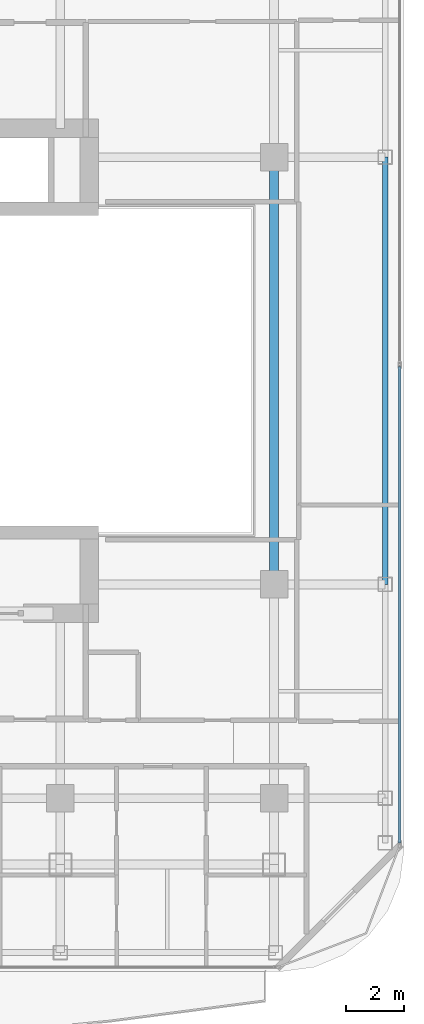
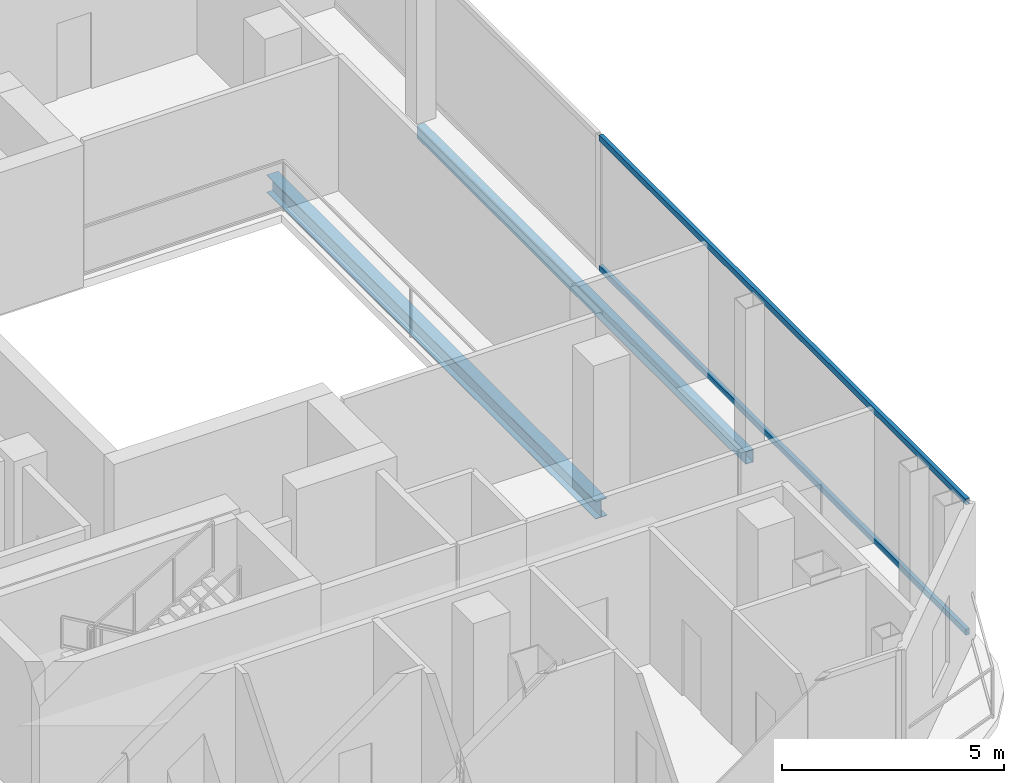
# One storey, part 9 of 23: 2 beams, 2 members, 1 element without a shape of its own.
"""IFC4 building model written with IfcOpenShell, lengths in metres."""

from ifc_helpers import new_model, si_unit, direction, frame, origin, origin_2d, place, context, subcontext, project, spatial, hollow_rectangle, i_section, extrude, material, layer, layer_set, material_profile, profile_set, type_object, element, aggregate, save


model = new_model("IFC4")

# Units and contexts
model_context = context("Model", 3, precision=1e-05, world=origin(), true_north=direction((0.0, 1.0)))
body_context = subcontext(model_context, "Body", "Model", "MODEL_VIEW")
ifc_project = project(units=[si_unit("LENGTHUNIT", "METRE"), si_unit("AREAUNIT", "SQUARE_METRE"), si_unit("VOLUMEUNIT", "CUBIC_METRE"), si_unit("PLANEANGLEUNIT", "RADIAN"), si_unit("MASSUNIT", "GRAM", prefix="KILO")], contexts=[model_context])

# Site, building, storey
site_placement = place(None, origin())
site = spatial("IfcSite", under=ifc_project, at=site_placement, CompositionType="ELEMENT")
building_placement = place(site_placement, origin())
building = spatial("IfcBuilding", under=site, at=building_placement, Name="Khorvyn Point Tower", CompositionType="ELEMENT")
storey_placement = place(building_placement, frame((0.0, 0.0, 293.699951171875)))
storey = spatial("IfcBuildingStorey", under=building, at=storey_placement, Name="L72", CompositionType="ELEMENT", Elevation=293.699951171875)

# Curtain wall, members
ifc_material_1 = material(Name="Anodised aluminium 6063-T6 and laminated Low-E glass", Category="aluminium")
ifc_layer = layer(ifc_material_1, 0.18994140625)
ifc_layer_set = layer_set([ifc_layer], Name="Stick-Built High-Wind Curtain Wall CW-SYS-04")
curtain_wall_type = type_object("IfcCurtainWallType", Name="Stick-Built High-Wind Curtain Wall CW-SYS-04", PredefinedType="NOTDEFINED", material=ifc_layer_set)
curtain_wall_placement = place(storey_placement, origin())
curtain_wall = element("IfcCurtainWall", 1, at=curtain_wall_placement, inside=storey, type_object=curtain_wall_type, Name="Curtain Wall", PredefinedType="NOTDEFINED")
ifc_material_2 = material(Name="Anodised aluminium 6063-T6", Category="aluminium")
ifc_material_profile_1 = material_profile(ifc_material_2, hollow_rectangle(XDim=0.10009765625, YDim=0.159912109375, WallThickness=0.00439453125, at=origin_2d()))
ifc_profile_set_1 = profile_set([ifc_material_profile_1], Name="Anodised aluminium 6063-T6 ALU-TRN-100x160")
member_type = type_object("IfcMemberType", Name="Anodised Aluminium 6063-T6 Transom ALU-TRN-100x160", PredefinedType="USERDEFINED", material=ifc_profile_set_1)
member_1_placement = place(storey_placement, frame((19.14990234375, 0.14990234375, 0.050048828125), z_axis=(0.0, -1.0, 0.0), x_axis=(1.0, 0.0, 0.0)))
member_1 = element("IfcMember", 2, at=member_1_placement, type_object=member_type, Name="Transom", ObjectType="TRANSOM", PredefinedType="USERDEFINED", context=body_context, shape_type="SweptSolid", body=[
    extrude(hollow_rectangle(XDim=0.10009765625, YDim=0.159912109375, WallThickness=0.00439453125, at=origin_2d()), origin(), (0.0, 0.0, 1.0), 16.5),
])
member_2_placement = place(storey_placement, frame((19.14990234375, 0.14990234375, 3.630126953125), z_axis=(0.0, -1.0, 0.0), x_axis=(1.0, 0.0, 0.0)))
member_2 = element("IfcMember", 3, at=member_2_placement, type_object=member_type, Name="Transom", ObjectType="TRANSOM", PredefinedType="USERDEFINED", context=body_context, shape_type="SweptSolid", body=[
    extrude(hollow_rectangle(XDim=0.10009765625, YDim=0.159912109375, WallThickness=0.00439453125, at=origin_2d()), origin(), (0.0, 0.0, 1.0), 16.5),
])
aggregate(curtain_wall, [member_1, member_2])

# Beams
ifc_material_3 = material(Name="Steel S355", Category="steel")
ifc_material_profile_2 = material_profile(ifc_material_3, i_section(OverallWidth=0.300048828125, OverallDepth=0.488037109375, WebThickness=0.010986328125, FlangeThickness=0.01806640625, at=origin_2d()))
ifc_profile_set_2 = profile_set([ifc_material_profile_2], Name="Steel S355 H488x300x11x18")
beam_type_1 = type_object("IfcBeamType", Name="Steel S355 Spandrel H488x300x11x18", PredefinedType="SPANDREL", material=ifc_profile_set_2)
beam_1_placement = place(storey_placement, frame((14.800048828125, -7.39990234375, -0.4638671875), z_axis=(0.0, 1.0, 0.0), x_axis=(-1.0, 0.0, 0.0)))
element("IfcBeam", 4, at=beam_1_placement, inside=storey, type_object=beam_type_1, Name="Beam", PredefinedType="SPANDREL", context=body_context, shape_type="SweptSolid", body=[
    extrude(i_section(OverallWidth=0.300048828125, OverallDepth=0.488037109375, WebThickness=0.010986328125, FlangeThickness=0.01806640625, at=origin_2d()), origin(), (0.0, 0.0, 1.0), 14.7998046875),
])
ifc_material_profile_3 = material_profile(ifc_material_3, hollow_rectangle(XDim=0.199951171875, YDim=0.35009765625, WallThickness=0.013916015625, at=origin_2d()))
ifc_profile_set_3 = profile_set([ifc_material_profile_3], Name="Steel S355 RHS350x200x14")
beam_type_2 = type_object("IfcBeamType", Name="Steel S355 Spandrel RHS350x200x14", PredefinedType="SPANDREL", material=ifc_profile_set_3)
beam_2_placement = place(storey_placement, frame((18.64990234375, -7.39990234375, -0.39501953125), z_axis=(0.0, 1.0, 0.0), x_axis=(-1.0, 0.0, 0.0)))
element("IfcBeam", 5, at=beam_2_placement, inside=storey, type_object=beam_type_2, Name="Beam", PredefinedType="SPANDREL", context=body_context, shape_type="SweptSolid", body=[
    extrude(hollow_rectangle(XDim=0.199951171875, YDim=0.35009765625, WallThickness=0.013916015625, at=origin_2d()), origin(), (0.0, 0.0, 1.0), 14.7998046875),
])

save(model, "model.ifc")
